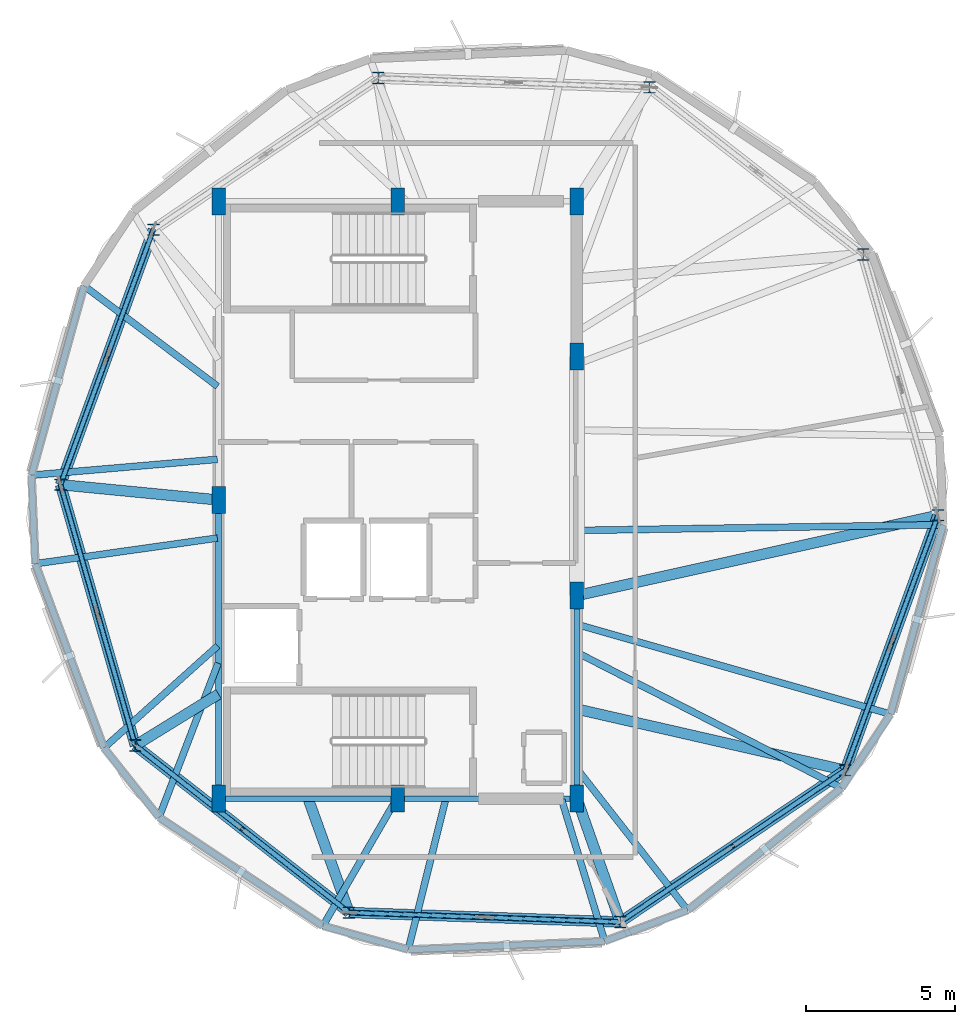
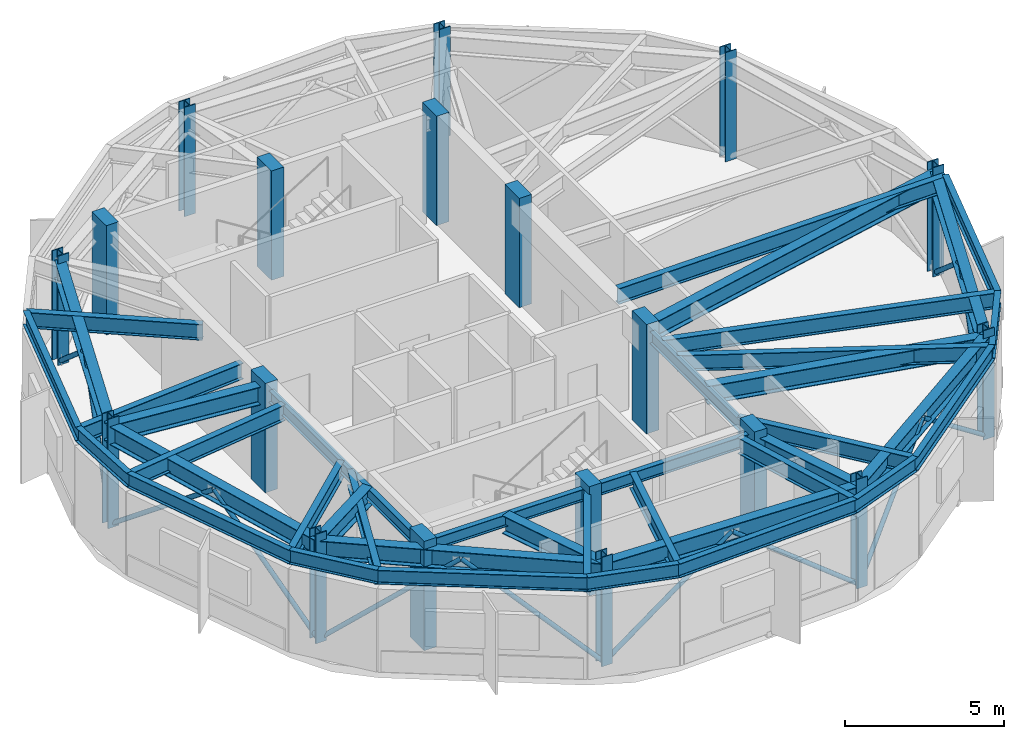
# One storey, part 1 of 6: 39 beams, 19 columns, 12 members.
"""IFC4 building model written with IfcOpenShell, lengths in metres."""

from ifc_helpers import new_model, si_unit, direction, frame, origin, origin_2d, place, context, subcontext, project, spatial, rectangle, hollow_circle, i_section, extrude, material, material_profile, profile_set, type_object, element, save


model = new_model("IFC4")

# Units and contexts
model_context = context("Model", 3, precision=1e-05, world=origin(), true_north=direction((0.0, 1.0)))
body_context = subcontext(model_context, "Body", "Model", "MODEL_VIEW")
ifc_project = project(units=[si_unit("LENGTHUNIT", "METRE"), si_unit("AREAUNIT", "SQUARE_METRE"), si_unit("VOLUMEUNIT", "CUBIC_METRE"), si_unit("PLANEANGLEUNIT", "RADIAN"), si_unit("MASSUNIT", "GRAM", prefix="KILO")], contexts=[model_context])

# Site, building, storey
site_placement = place(None, origin())
site = spatial("IfcSite", under=ifc_project, at=site_placement, CompositionType="ELEMENT")
building_placement = place(site_placement, origin())
building = spatial("IfcBuilding", under=site, at=building_placement, Name="Soratama Intermodal Tower", CompositionType="ELEMENT")
storey_placement = place(building_placement, frame((0.0, 0.0, 309.85009765625)))
storey = spatial("IfcBuildingStorey", under=building, at=storey_placement, Name="L78", CompositionType="ELEMENT", Elevation=309.85009765625)

# Columns
ifc_material_1 = material(Name="Structural steel ASTM A992 Grade 50", Category="steel")
ifc_material_profile_1 = material_profile(ifc_material_1, i_section(OverallWidth=0.39794921875, OverallDepth=0.386962890625, WebThickness=0.02099609375, FlangeThickness=0.033203125, FilletRadius=0.0380859375, at=origin_2d()), Name="W14X176")
ifc_profile_set_1 = profile_set([ifc_material_profile_1], Name="Structural steel ASTM A992 Grade 50")
column_type_1 = type_object("IfcColumnType", Name="COL-ZF-W14X176", PredefinedType="COLUMN", material=ifc_profile_set_1)
for number, where, z_axis, x_axis, name in (
    (1, (54.18701171875, 33.22021484375, 0.0), (0.0, 0.0, 1.0), (1.0, 0.0, 0.0), "L78 Tower Ring Column R01"),
    (2, (47.027587890625, 38.8134765625, 0.0), (0.0, 0.0, 1.0), (1.0, 0.0, 0.0), "L78 Tower Ring Column R02"),
    (3, (37.947998046875, 39.130615234375, 0.0), (0.0, 0.0, 1.0), (1.0, 0.0, 0.0), "L78 Tower Ring Column R03"),
    (4, (30.416259765625, 34.05029296875, 0.0), (0.0, 0.0, 1.0), (1.0, 0.0, 0.0), "L78 Tower Ring Column R04"),
    (5, (27.30908203125, 25.512939453125, 0.0), (0.0, 0.0, 1.0), (1.0, 0.0, 0.0), "L78 Tower Ring Column R05"),
    (6, (29.81298828125, 16.77978515625, 0.0), (0.0, 0.0, 1.0), (1.0, 0.0, 0.0), "L78 Tower Ring Column R06"),
    (7, (36.972412109375, 11.1865234375, 0.0), (0.0, 0.0, 1.0), (1.0, 0.0, 0.0), "L78 Tower Ring Column R07"),
    (8, (46.052001953125, 10.869384765625, 0.0), (0.0, 0.0, 1.0), (1.0, 0.0, 0.0), "L78 Tower Ring Column R08"),
    (9, (53.583740234375, 15.94970703125, 0.0), (0.0, 0.0, 1.0), (1.0, 0.0, 0.0), "L78 Tower Ring Column R09"),
    (10, (56.69091796875, 24.487060546875, 0.0), (0.0, 0.0, 1.0), (1.0, 0.0, 0.0), "L78 Tower Ring Column R10"),
):
    element("IfcColumn", number, at=place(storey_placement, frame(where, z_axis=z_axis, x_axis=x_axis)), inside=storey, type_object=column_type_1, Name=name, PredefinedType="COLUMN", context=body_context, shape_type="SweptSolid", body=[
        extrude(i_section(OverallWidth=0.39794921875, OverallDepth=0.386962890625, WebThickness=0.02099609375, FlangeThickness=0.033203125, FilletRadius=0.0380859375, at=origin_2d()), origin(), (0.0, 0.0, 1.0), 4.199951171875),
    ])
ifc_material_2 = material(Name="Concrete f'c 56 MPa", Category="concrete")
ifc_material_profile_2 = material_profile(ifc_material_2, rectangle(XDim=0.449951171875, YDim=0.89990234375, at=origin_2d()), Name="RC450X900")
ifc_profile_set_2 = profile_set([ifc_material_profile_2], Name="Concrete f'c 56 MPa")
column_type_2 = type_object("IfcColumnType", Name="PIL-CORE-450X900", PredefinedType="PILASTER", material=ifc_profile_set_2)
for number, where, z_axis, x_axis, name in (
    (11, (32.60009765625, 15.0, 0.0), (0.0, 0.0, 1.0), (1.0, 0.0, 0.0), "L78 Core Pilaster 1"),
    (12, (32.60009765625, 25.0, 0.0), (0.0, 0.0, 1.0), (1.0, 0.0, 0.0), "L78 Core Pilaster 2"),
    (13, (32.60009765625, 35.0, 0.0), (0.0, 0.0, 1.0), (1.0, 0.0, 0.0), "L78 Core Pilaster 3"),
    (14, (38.60009765625, 15.0, 0.0), (0.0, 0.0, 1.0), (1.0, 0.0, 0.0), "L78 Core Pilaster 4"),
    (15, (38.60009765625, 35.0, 0.0), (0.0, 0.0, 1.0), (1.0, 0.0, 0.0), "L78 Core Pilaster 5"),
    (16, (44.60009765625, 15.0, 0.0), (0.0, 0.0, 1.0), (1.0, 0.0, 0.0), "L78 Core Pilaster 6"),
    (17, (44.60009765625, 21.800048828125, 0.0), (0.0, 0.0, 1.0), (1.0, 0.0, 0.0), "L78 Core Pilaster 7"),
    (18, (44.60009765625, 29.800048828125, 0.0), (0.0, 0.0, 1.0), (1.0, 0.0, 0.0), "L78 Core Pilaster 8"),
    (19, (44.60009765625, 35.0, 0.0), (0.0, 0.0, 1.0), (1.0, 0.0, 0.0), "L78 Core Pilaster 9"),
):
    element("IfcColumn", number, at=place(storey_placement, frame(where, z_axis=z_axis, x_axis=x_axis)), inside=storey, type_object=column_type_2, Name=name, PredefinedType="PILASTER", context=body_context, shape_type="SweptSolid", body=[
        extrude(rectangle(XDim=0.449951171875, YDim=0.89990234375, at=origin_2d()), origin(), (0.0, 0.0, 1.0), 4.199951171875),
    ])

# Beams
ifc_material_3 = material(Name="Structural steel ASTM A992 Grade 50", Category="steel")
ifc_material_profile_3 = material_profile(ifc_material_3, i_section(OverallWidth=0.19091796875, OverallDepth=0.4599609375, WebThickness=0.010009765625, FlangeThickness=0.01611328125, FilletRadius=0.010986328125, at=origin_2d()), Name="W18X55")
ifc_profile_set_3 = profile_set([ifc_material_profile_3], Name="Structural steel ASTM A992 Grade 50")
beam_type_1 = type_object("IfcBeamType", Name="BM-FLR-W18X55", PredefinedType="BEAM", material=ifc_profile_set_3)
for number, where, z_axis, x_axis, name in (
    (20, (32.60009765625, 15.0, 3.664794921875), (1.0, 0.0, 0.0), (0.0, 1.0, 0.0), "BM-L78-CRING-01"),
    (21, (38.60009765625, 15.0, 3.664794921875), (1.0, 0.0, 0.0), (0.0, 1.0, 0.0), "BM-L78-CRING-02"),
):
    element("IfcBeam", number, at=place(storey_placement, frame(where, z_axis=z_axis, x_axis=x_axis)), inside=storey, type_object=beam_type_1, Name=name, PredefinedType="BEAM", context=body_context, shape_type="SweptSolid", body=[
        extrude(i_section(OverallWidth=0.19091796875, OverallDepth=0.4599609375, WebThickness=0.010009765625, FlangeThickness=0.01611328125, FilletRadius=0.010986328125, at=origin_2d()), origin(), (0.0, 0.0, 1.0), 6.0),
    ])
beam_1_placement = place(storey_placement, frame((44.60009765625, 15.0, 3.664794921875), z_axis=(0.0, 1.0, 0.0), x_axis=(-1.0, 0.0, 0.0)))
element("IfcBeam", 22, at=beam_1_placement, inside=storey, type_object=beam_type_1, Name="BM-L78-CRING-03", PredefinedType="BEAM", context=body_context, shape_type="SweptSolid", body=[
    extrude(i_section(OverallWidth=0.19091796875, OverallDepth=0.4599609375, WebThickness=0.010009765625, FlangeThickness=0.01611328125, FilletRadius=0.010986328125, at=origin_2d()), origin(), (0.0, 0.0, 1.0), 6.800048828125),
])
beam_2_placement = place(storey_placement, frame((32.60009765625, 25.0, 3.664794921875), z_axis=(0.0, -1.0, 0.0), x_axis=(1.0, 0.0, 0.0)))
element("IfcBeam", 23, at=beam_2_placement, inside=storey, type_object=beam_type_1, Name="BM-L78-CRING-09", PredefinedType="BEAM", context=body_context, shape_type="SweptSolid", body=[
    extrude(i_section(OverallWidth=0.19091796875, OverallDepth=0.4599609375, WebThickness=0.010009765625, FlangeThickness=0.01611328125, FilletRadius=0.010986328125, at=origin_2d()), origin(), (0.0, 0.0, 1.0), 10.0),
])
ifc_material_4 = material(Name="Structural steel ASTM A992 Grade 50", Category="steel")
ifc_material_profile_4 = material_profile(ifc_material_4, i_section(OverallWidth=0.35498046875, OverallDepth=0.695068359375, WebThickness=0.015380859375, FlangeThickness=0.02490234375, FilletRadius=0.01611328125, at=origin_2d()), Name="W27X146")
ifc_profile_set_4 = profile_set([ifc_material_profile_4], Name="Structural steel ASTM A992 Grade 50")
beam_type_2 = type_object("IfcBeamType", Name="BM-RING-W27X146", PredefinedType="BEAM", material=ifc_profile_set_4)
beam_3_placement = place(storey_placement, frame((30.416015625, 34.050048828125, 3.54736328125), z_axis=(-0.341989029925, -0.939703944555, 0.0), x_axis=(0.939703944555, -0.341989029925, 0.0)))
element("IfcBeam", 24, at=beam_3_placement, inside=storey, type_object=beam_type_2, Name="BM-L78-RING-04", PredefinedType="BEAM", context=body_context, shape_type="SweptSolid", body=[
    extrude(i_section(OverallWidth=0.35498046875, OverallDepth=0.695068359375, WebThickness=0.015380859375, FlangeThickness=0.02490234375, FilletRadius=0.01611328125, at=origin_2d()), origin(), (0.0, 0.0, 1.0), 9.0849609375),
])
for number, where, z_axis, x_axis, name in (
    (25, (27.30908203125, 25.512939453125, 3.54736328125), (0.275615442928, -0.961267979088, 0.0), (0.961267979088, 0.275615442928, 0.0), "BM-L78-RING-05"),
    (26, (29.81298828125, 16.780029296875, 3.54736328125), (0.78801907717, -0.615650821502, 0.0), (0.615650821502, 0.78801907717, 0.0), "BM-L78-RING-06"),
):
    element("IfcBeam", number, at=place(storey_placement, frame(where, z_axis=z_axis, x_axis=x_axis)), inside=storey, type_object=beam_type_2, Name=name, PredefinedType="BEAM", context=body_context, shape_type="SweptSolid", body=[
        extrude(i_section(OverallWidth=0.35498046875, OverallDepth=0.695068359375, WebThickness=0.015380859375, FlangeThickness=0.02490234375, FilletRadius=0.01611328125, at=origin_2d()), origin(), (0.0, 0.0, 1.0), 9.084716796875),
    ])
beam_4_placement = place(storey_placement, frame((36.971923828125, 11.18701171875, 3.54736328125), z_axis=(0.999391551516, -0.034878743651, 0.0), x_axis=(0.034878743651, 0.999391551516, 0.0)))
element("IfcBeam", 27, at=beam_4_placement, inside=storey, type_object=beam_type_2, Name="BM-L78-RING-07", PredefinedType="BEAM", context=body_context, shape_type="SweptSolid", body=[
    extrude(i_section(OverallWidth=0.35498046875, OverallDepth=0.695068359375, WebThickness=0.015380859375, FlangeThickness=0.02490234375, FilletRadius=0.01611328125, at=origin_2d()), origin(), (0.0, 0.0, 1.0), 9.085693359375),
])
for number, where, z_axis, x_axis, name in (
    (28, (46.052001953125, 10.8701171875, 3.54736328125), (0.829065755123, 0.559151118824, 0.0), (-0.559151118824, 0.829065755123, 0.0), "BM-L78-RING-08"),
    (29, (53.583984375, 15.949951171875, 3.54736328125), (0.341989029925, 0.939703944555, 0.0), (-0.939703944555, 0.341989029925, 0.0), "BM-L78-RING-09"),
):
    element("IfcBeam", number, at=place(storey_placement, frame(where, z_axis=z_axis, x_axis=x_axis)), inside=storey, type_object=beam_type_2, Name=name, PredefinedType="BEAM", context=body_context, shape_type="SweptSolid", body=[
        extrude(i_section(OverallWidth=0.35498046875, OverallDepth=0.695068359375, WebThickness=0.015380859375, FlangeThickness=0.02490234375, FilletRadius=0.01611328125, at=origin_2d()), origin(), (0.0, 0.0, 1.0), 9.0849609375),
    ])
beam_5_placement = place(storey_placement, frame((32.60009765625, 25.0, 3.54736328125), z_axis=(-0.995333664321, 0.096492987668, 0.0), x_axis=(-0.096492987668, -0.995333664321, 0.0)))
element("IfcBeam", 30, at=beam_5_placement, inside=storey, type_object=beam_type_2, Name="BM-L78-RAD-05", PredefinedType="BEAM", context=body_context, shape_type="SweptSolid", body=[
    extrude(i_section(OverallWidth=0.35498046875, OverallDepth=0.695068359375, WebThickness=0.015380859375, FlangeThickness=0.02490234375, FilletRadius=0.01611328125, at=origin_2d()), origin(), (0.0, 0.0, 1.0), 5.31591796875),
])
beam_6_placement = place(storey_placement, frame((32.60009765625, 18.5, 3.54736328125), z_axis=(-0.850999862817, -0.525165910437, 0.0), x_axis=(0.525165910437, -0.850999862817, 0.0)))
element("IfcBeam", 31, at=beam_6_placement, inside=storey, type_object=beam_type_2, Name="BM-L78-RAD-06", PredefinedType="BEAM", context=body_context, shape_type="SweptSolid", body=[
    extrude(i_section(OverallWidth=0.35498046875, OverallDepth=0.695068359375, WebThickness=0.015380859375, FlangeThickness=0.02490234375, FilletRadius=0.01611328125, at=origin_2d()), origin(), (0.0, 0.0, 1.0), 3.275146484375),
])
beam_7_placement = place(storey_placement, frame((35.60009765625, 15.0, 3.54736328125), z_axis=(0.33853385328, -0.940954212586, 0.0), x_axis=(0.940954212586, 0.33853385328, 0.0)))
element("IfcBeam", 32, at=beam_7_placement, inside=storey, type_object=beam_type_2, Name="BM-L78-RAD-07", PredefinedType="BEAM", context=body_context, shape_type="SweptSolid", body=[
    extrude(i_section(OverallWidth=0.35498046875, OverallDepth=0.695068359375, WebThickness=0.015380859375, FlangeThickness=0.02490234375, FilletRadius=0.01611328125, at=origin_2d()), origin(), (0.0, 0.0, 1.0), 4.05224609375),
])
beam_8_placement = place(storey_placement, frame((44.60009765625, 15.0, 3.54736328125), z_axis=(0.331661746867, -0.943398370608, 0.0), x_axis=(0.943398370608, 0.331661746867, 0.0)))
element("IfcBeam", 33, at=beam_8_placement, inside=storey, type_object=beam_type_2, Name="BM-L78-RAD-08", PredefinedType="BEAM", context=body_context, shape_type="SweptSolid", body=[
    extrude(i_section(OverallWidth=0.35498046875, OverallDepth=0.695068359375, WebThickness=0.015380859375, FlangeThickness=0.02490234375, FilletRadius=0.01611328125, at=origin_2d()), origin(), (0.0, 0.0, 1.0), 4.377685546875),
])
beam_9_placement = place(storey_placement, frame((44.60009765625, 18.0, 3.54736328125), z_axis=(0.974938851068, -0.222473002131, 0.0), x_axis=(0.222473002131, 0.974938851068, 0.0)))
element("IfcBeam", 34, at=beam_9_placement, inside=storey, type_object=beam_type_2, Name="BM-L78-RAD-09", PredefinedType="BEAM", context=body_context, shape_type="SweptSolid", body=[
    extrude(i_section(OverallWidth=0.35498046875, OverallDepth=0.695068359375, WebThickness=0.015380859375, FlangeThickness=0.02490234375, FilletRadius=0.01611328125, at=origin_2d()), origin(), (0.0, 0.0, 1.0), 9.21484375),
])
beam_10_placement = place(storey_placement, frame((44.60009765625, 21.800048828125, 3.54736328125), z_axis=(0.976184277327, 0.216942980298, 0.0), x_axis=(-0.216942980298, 0.976184277327, 0.0)))
element("IfcBeam", 35, at=beam_10_placement, inside=storey, type_object=beam_type_2, Name="BM-L78-RAD-10", PredefinedType="BEAM", context=body_context, shape_type="SweptSolid", body=[
    extrude(i_section(OverallWidth=0.35498046875, OverallDepth=0.695068359375, WebThickness=0.015380859375, FlangeThickness=0.02490234375, FilletRadius=0.01611328125, at=origin_2d()), origin(), (0.0, 0.0, 1.0), 12.3857421875),
])
ifc_material_5 = material(Name="Structural steel ASTM A992 Grade 50", Category="steel")
ifc_material_profile_5 = material_profile(ifc_material_5, i_section(OverallWidth=0.2099609375, OverallDepth=0.537109375, WebThickness=0.010986328125, FlangeThickness=0.017333984375, FilletRadius=0.012939453125, at=origin_2d()), Name="W21X68")
ifc_profile_set_5 = profile_set([ifc_material_profile_5], Name="Structural steel ASTM A992 Grade 50")
beam_type_3 = type_object("IfcBeamType", Name="BM-SPN-W21X68", PredefinedType="SPANDREL", material=ifc_profile_set_5)
beam_11_placement = place(storey_placement, frame((28.095947265625, 32.172119140625, 3.62646484375), z_axis=(-0.267921174664, -0.963440835841, 0.0), x_axis=(0.963440835841, -0.267921174664, 0.0)))
element("IfcBeam", 36, at=beam_11_placement, inside=storey, type_object=beam_type_3, Name="BS-L78-F03", PredefinedType="SPANDREL", context=body_context, shape_type="SweptSolid", body=[
    extrude(i_section(OverallWidth=0.2099609375, OverallDepth=0.537109375, WebThickness=0.010986328125, FlangeThickness=0.017333984375, FilletRadius=0.012939453125, at=origin_2d()), origin(), (0.0, 0.0, 1.0), 6.583740234375),
])
beam_12_placement = place(storey_placement, frame((26.33203125, 25.8291015625, 3.62646484375), z_axis=(0.043119400485, -0.999069926132, 0.0), x_axis=(0.999069926132, 0.043119400485, 0.0)))
element("IfcBeam", 37, at=beam_12_placement, inside=storey, type_object=beam_type_3, Name="BS-L78-CRN03", PredefinedType="SPANDREL", context=body_context, shape_type="SweptSolid", body=[
    extrude(i_section(OverallWidth=0.2099609375, OverallDepth=0.537109375, WebThickness=0.010986328125, FlangeThickness=0.017333984375, FilletRadius=0.012939453125, at=origin_2d()), origin(), (0.0, 0.0, 1.0), 2.966796875),
])
beam_13_placement = place(storey_placement, frame((26.4599609375, 22.864990234375, 3.62646484375), z_axis=(0.349481212587, -0.936943371847, 0.0), x_axis=(0.936943371847, 0.349481212587, 0.0)))
element("IfcBeam", 38, at=beam_13_placement, inside=storey, type_object=beam_type_3, Name="BS-L78-F04", PredefinedType="SPANDREL", context=body_context, shape_type="SweptSolid", body=[
    extrude(i_section(OverallWidth=0.2099609375, OverallDepth=0.537109375, WebThickness=0.010986328125, FlangeThickness=0.017333984375, FilletRadius=0.012939453125, at=origin_2d()), origin(), (0.0, 0.0, 1.0), 6.584228515625),
])
beam_14_placement = place(storey_placement, frame((28.760986328125, 16.696044921875, 3.62646484375), z_axis=(0.621931128655, -0.783071945104, 0.0), x_axis=(0.783071945104, 0.621931128655, 0.0)))
element("IfcBeam", 39, at=beam_14_placement, inside=storey, type_object=beam_type_3, Name="BS-L78-CRN04", PredefinedType="SPANDREL", context=body_context, shape_type="SweptSolid", body=[
    extrude(i_section(OverallWidth=0.2099609375, OverallDepth=0.537109375, WebThickness=0.010986328125, FlangeThickness=0.017333984375, FilletRadius=0.012939453125, at=origin_2d()), origin(), (0.0, 0.0, 1.0), 2.966552734375),
])
beam_15_placement = place(storey_placement, frame((30.60595703125, 14.373046875, 3.62646484375), z_axis=(0.833570379181, -0.552413271883, 0.0), x_axis=(0.552413271883, 0.833570379181, 0.0)))
element("IfcBeam", 40, at=beam_15_placement, inside=storey, type_object=beam_type_3, Name="BS-L78-F05", PredefinedType="SPANDREL", context=body_context, shape_type="SweptSolid", body=[
    extrude(i_section(OverallWidth=0.2099609375, OverallDepth=0.537109375, WebThickness=0.010986328125, FlangeThickness=0.017333984375, FilletRadius=0.012939453125, at=origin_2d()), origin(), (0.0, 0.0, 1.0), 6.583740234375),
])
beam_16_placement = place(storey_placement, frame((36.093994140625, 10.736083984375, 3.62646484375), z_axis=(0.963404631387, -0.26805133132, 0.0), x_axis=(0.26805133132, 0.963404631387, 0.0)))
element("IfcBeam", 41, at=beam_16_placement, inside=storey, type_object=beam_type_3, Name="BS-L78-CRN05", PredefinedType="SPANDREL", context=body_context, shape_type="SweptSolid", body=[
    extrude(i_section(OverallWidth=0.2099609375, OverallDepth=0.537109375, WebThickness=0.010986328125, FlangeThickness=0.017333984375, FilletRadius=0.012939453125, at=origin_2d()), origin(), (0.0, 0.0, 1.0), 2.966552734375),
])
beam_17_placement = place(storey_placement, frame((38.951904296875, 9.94091796875, 3.62646484375), z_axis=(0.999082487885, 0.042827355757, 0.0), x_axis=(-0.042827355757, 0.999082487885, 0.0)))
element("IfcBeam", 42, at=beam_17_placement, inside=storey, type_object=beam_type_3, Name="BS-L78-F06", PredefinedType="SPANDREL", context=body_context, shape_type="SweptSolid", body=[
    extrude(i_section(OverallWidth=0.2099609375, OverallDepth=0.537109375, WebThickness=0.010986328125, FlangeThickness=0.017333984375, FilletRadius=0.012939453125, at=origin_2d()), origin(), (0.0, 0.0, 1.0), 6.584228515625),
])
beam_18_placement = place(storey_placement, frame((45.530029296875, 10.222900390625, 3.62646484375), z_axis=(0.93688609527, 0.349634730098, 0.0), x_axis=(-0.349634730098, 0.93688609527, 0.0)))
element("IfcBeam", 43, at=beam_18_placement, inside=storey, type_object=beam_type_3, Name="BS-L78-CRN06", PredefinedType="SPANDREL", context=body_context, shape_type="SweptSolid", body=[
    extrude(i_section(OverallWidth=0.2099609375, OverallDepth=0.537109375, WebThickness=0.010986328125, FlangeThickness=0.017333984375, FilletRadius=0.012939453125, at=origin_2d()), origin(), (0.0, 0.0, 1.0), 2.96630859375),
])
beam_19_placement = place(storey_placement, frame((48.30908203125, 11.260009765625, 3.62646484375), z_axis=(0.78307419976, 0.621928289814, 0.0), x_axis=(-0.621928289814, 0.78307419976, 0.0)))
element("IfcBeam", 44, at=beam_19_placement, inside=storey, type_object=beam_type_3, Name="BS-L78-F07", PredefinedType="SPANDREL", context=body_context, shape_type="SweptSolid", body=[
    extrude(i_section(OverallWidth=0.2099609375, OverallDepth=0.537109375, WebThickness=0.010986328125, FlangeThickness=0.017333984375, FilletRadius=0.012939453125, at=origin_2d()), origin(), (0.0, 0.0, 1.0), 6.584228515625),
])
beam_20_placement = place(storey_placement, frame((53.465087890625, 15.35498046875, 3.62646484375), z_axis=(0.55243823601, 0.833553834731, 0.0), x_axis=(-0.833553834731, 0.55243823601, 0.0)))
element("IfcBeam", 45, at=beam_20_placement, inside=storey, type_object=beam_type_3, Name="BS-L78-CRN07", PredefinedType="SPANDREL", context=body_context, shape_type="SweptSolid", body=[
    extrude(i_section(OverallWidth=0.2099609375, OverallDepth=0.537109375, WebThickness=0.010986328125, FlangeThickness=0.017333984375, FilletRadius=0.012939453125, at=origin_2d()), origin(), (0.0, 0.0, 1.0), 2.966796875),
])
beam_21_placement = place(storey_placement, frame((55.10400390625, 17.827880859375, 3.62646484375), z_axis=(0.267921174664, 0.963440835841, 0.0), x_axis=(-0.963440835841, 0.267921174664, 0.0)))
element("IfcBeam", 46, at=beam_21_placement, inside=storey, type_object=beam_type_3, Name="BS-L78-F08", PredefinedType="SPANDREL", context=body_context, shape_type="SweptSolid", body=[
    extrude(i_section(OverallWidth=0.2099609375, OverallDepth=0.537109375, WebThickness=0.010986328125, FlangeThickness=0.017333984375, FilletRadius=0.012939453125, at=origin_2d()), origin(), (0.0, 0.0, 1.0), 6.583740234375),
])
ifc_material_6 = material(Name="Structural steel ASTM A992 Grade 50", Category="steel")
ifc_material_profile_6 = material_profile(ifc_material_6, i_section(OverallWidth=0.22900390625, OverallDepth=0.612060546875, WebThickness=0.011962890625, FlangeThickness=0.01953125, FilletRadius=0.012939453125, at=origin_2d()), Name="W24X84")
ifc_profile_set_6 = profile_set([ifc_material_profile_6], Name="Structural steel ASTM A992 Grade 50")
beam_type_4 = type_object("IfcBeamType", Name="BM-TIE-W24X84", PredefinedType="BEAM", material=ifc_profile_set_6)
beam_22_placement = place(storey_placement, frame((32.568115234375, 28.804931640625, 3.5888671875), z_axis=(-0.798878658543, 0.601492218508, 0.0), x_axis=(-0.601492218508, -0.798878658543, 0.0)))
element("IfcBeam", 47, at=beam_22_placement, inside=storey, type_object=beam_type_4, Name="BM-L78-TIE0-03", PredefinedType="BEAM", context=body_context, shape_type="SweptSolid", body=[
    extrude(i_section(OverallWidth=0.22900390625, OverallDepth=0.612060546875, WebThickness=0.011962890625, FlangeThickness=0.01953125, FilletRadius=0.012939453125, at=origin_2d()), origin(), (0.0, 0.0, 1.0), 5.59814453125),
])
beam_23_placement = place(storey_placement, frame((32.56005859375, 26.362060546875, 3.5888671875), z_axis=(-0.996358508615, -0.085262666574, 0.0), x_axis=(0.085262666574, -0.996358508615, 0.0)))
element("IfcBeam", 48, at=beam_23_placement, inside=storey, type_object=beam_type_4, Name="BM-L78-TIE1-03", PredefinedType="BEAM", context=body_context, shape_type="SweptSolid", body=[
    extrude(i_section(OverallWidth=0.22900390625, OverallDepth=0.612060546875, WebThickness=0.011962890625, FlangeThickness=0.01953125, FilletRadius=0.012939453125, at=origin_2d()), origin(), (0.0, 0.0, 1.0), 6.250732421875),
])
beam_24_placement = place(storey_placement, frame((32.56005859375, 23.72509765625, 3.5888671875), z_axis=(-0.99020544909, -0.139617937931, 0.0), x_axis=(0.139617937931, -0.99020544909, 0.0)))
element("IfcBeam", 49, at=beam_24_placement, inside=storey, type_object=beam_type_4, Name="BM-L78-TIE0-04", PredefinedType="BEAM", context=body_context, shape_type="SweptSolid", body=[
    extrude(i_section(OverallWidth=0.22900390625, OverallDepth=0.612060546875, WebThickness=0.011962890625, FlangeThickness=0.01953125, FilletRadius=0.012939453125, at=origin_2d()), origin(), (0.0, 0.0, 1.0), 6.160400390625),
])
beam_25_placement = place(storey_placement, frame((32.570068359375, 20.113037109375, 3.5888671875), z_axis=(-0.744379700677, -0.667756588301, 0.0), x_axis=(0.667756588301, -0.744379700677, 0.0)))
element("IfcBeam", 50, at=beam_25_placement, inside=storey, type_object=beam_type_4, Name="BM-L78-TIE1-04", PredefinedType="BEAM", context=body_context, shape_type="SweptSolid", body=[
    extrude(i_section(OverallWidth=0.22900390625, OverallDepth=0.612060546875, WebThickness=0.011962890625, FlangeThickness=0.01953125, FilletRadius=0.012939453125, at=origin_2d()), origin(), (0.0, 0.0, 1.0), 5.1171875),
])
beam_26_placement = place(storey_placement, frame((32.5859375, 19.537109375, 3.5888671875), z_axis=(-0.358002722907, -0.933720541914, 0.0), x_axis=(0.933720541914, -0.358002722907, 0.0)))
element("IfcBeam", 51, at=beam_26_placement, inside=storey, type_object=beam_type_4, Name="BM-L78-TIE0-05", PredefinedType="BEAM", context=body_context, shape_type="SweptSolid", body=[
    extrude(i_section(OverallWidth=0.22900390625, OverallDepth=0.612060546875, WebThickness=0.011962890625, FlangeThickness=0.01953125, FilletRadius=0.012939453125, at=origin_2d()), origin(), (0.0, 0.0, 1.0), 5.530517578125),
])
beam_27_placement = place(storey_placement, frame((38.5458984375, 14.965087890625, 3.5888671875), z_axis=(-0.501577567074, -0.865112677174, 0.0), x_axis=(0.865112677174, -0.501577567074, 0.0)))
element("IfcBeam", 52, at=beam_27_placement, inside=storey, type_object=beam_type_4, Name="BM-L78-TIE1-05", PredefinedType="BEAM", context=body_context, shape_type="SweptSolid", body=[
    extrude(i_section(OverallWidth=0.22900390625, OverallDepth=0.612060546875, WebThickness=0.011962890625, FlangeThickness=0.01953125, FilletRadius=0.012939453125, at=origin_2d()), origin(), (0.0, 0.0, 1.0), 4.888427734375),
])
beam_28_placement = place(storey_placement, frame((40.200927734375, 14.9609375, 3.5888671875), z_axis=(-0.241447222076, -0.970413952369, 0.0), x_axis=(0.970413952369, -0.241447222076, 0.0)))
element("IfcBeam", 53, at=beam_28_placement, inside=storey, type_object=beam_type_4, Name="BM-L78-TIE0-06", PredefinedType="BEAM", context=body_context, shape_type="SweptSolid", body=[
    extrude(i_section(OverallWidth=0.22900390625, OverallDepth=0.612060546875, WebThickness=0.011962890625, FlangeThickness=0.01953125, FilletRadius=0.012939453125, at=origin_2d()), origin(), (0.0, 0.0, 1.0), 5.173095703125),
])
beam_29_placement = place(storey_placement, frame((44.091064453125, 14.9619140625, 3.5888671875), z_axis=(0.290543664111, -0.956861734654, 0.0), x_axis=(0.956861734654, 0.290543664111, 0.0)))
element("IfcBeam", 54, at=beam_29_placement, inside=storey, type_object=beam_type_4, Name="BM-L78-TIE1-06", PredefinedType="BEAM", context=body_context, shape_type="SweptSolid", body=[
    extrude(i_section(OverallWidth=0.22900390625, OverallDepth=0.612060546875, WebThickness=0.011962890625, FlangeThickness=0.01953125, FilletRadius=0.012939453125, at=origin_2d()), origin(), (0.0, 0.0, 1.0), 4.95263671875),
])
beam_30_placement = place(storey_placement, frame((44.625, 15.971923828125, 3.5888671875), z_axis=(0.615944996448, -0.787789160468, 0.0), x_axis=(0.787789160468, 0.615944996448, 0.0)))
element("IfcBeam", 55, at=beam_30_placement, inside=storey, type_object=beam_type_4, Name="BM-L78-TIE0-07", PredefinedType="BEAM", context=body_context, shape_type="SweptSolid", body=[
    extrude(i_section(OverallWidth=0.22900390625, OverallDepth=0.612060546875, WebThickness=0.011962890625, FlangeThickness=0.01953125, FilletRadius=0.012939453125, at=origin_2d()), origin(), (0.0, 0.0, 1.0), 5.981201171875),
])
beam_31_placement = place(storey_placement, frame((44.635986328125, 19.875, 3.5888671875), z_axis=(0.89013347434, -0.455699898903, 0.0), x_axis=(0.455699898903, 0.89013347434, 0.0)))
element("IfcBeam", 56, at=beam_31_placement, inside=storey, type_object=beam_type_4, Name="BM-L78-TIE1-07", PredefinedType="BEAM", context=body_context, shape_type="SweptSolid", body=[
    extrude(i_section(OverallWidth=0.22900390625, OverallDepth=0.612060546875, WebThickness=0.011962890625, FlangeThickness=0.01953125, FilletRadius=0.012939453125, at=origin_2d()), origin(), (0.0, 0.0, 1.0), 9.9189453125),
])
beam_32_placement = place(storey_placement, frame((44.637939453125, 20.823974609375, 3.5888671875), z_axis=(0.96138334162, -0.275212773061, 0.0), x_axis=(0.275212773061, 0.96138334162, 0.0)))
element("IfcBeam", 57, at=beam_32_placement, inside=storey, type_object=beam_type_4, Name="BM-L78-TIE0-08", PredefinedType="BEAM", context=body_context, shape_type="SweptSolid", body=[
    extrude(i_section(OverallWidth=0.22900390625, OverallDepth=0.612060546875, WebThickness=0.011962890625, FlangeThickness=0.01953125, FilletRadius=0.012939453125, at=origin_2d()), origin(), (0.0, 0.0, 1.0), 10.886474609375),
])
beam_33_placement = place(storey_placement, frame((44.8349609375, 23.98388671875, 3.5888671875), z_axis=(0.999879250843, 0.015539746914, 0.0), x_axis=(-0.015539746914, 0.999879250843, 0.0)))
element("IfcBeam", 58, at=beam_33_placement, inside=storey, type_object=beam_type_4, Name="BM-L78-TIE1-08", PredefinedType="BEAM", context=body_context, shape_type="SweptSolid", body=[
    extrude(i_section(OverallWidth=0.22900390625, OverallDepth=0.612060546875, WebThickness=0.011962890625, FlangeThickness=0.01953125, FilletRadius=0.012939453125, at=origin_2d()), origin(), (0.0, 0.0, 1.0), 12.034423828125),
])

# Members
ifc_material_7 = material(Name="Structural steel ASTM A500 Grade C", Category="steel")
ifc_material_profile_7 = material_profile(ifc_material_7, hollow_circle(Radius=0.084228515625, WallThickness=0.008056640625, at=origin_2d()), Name="CHS168X8")
ifc_profile_set_7 = profile_set([ifc_material_profile_7], Name="Structural steel ASTM A500 Grade C")
member_type = type_object("IfcMemberType", Name="MB-STRUT-CHS168", PredefinedType="BRACE", material=ifc_profile_set_7)
member_1_placement = place(storey_placement, frame((30.416259765625, 34.05029296875, 0.010009765625), z_axis=(-0.269855658326, -0.74142460494, 0.614383820473), x_axis=(0.939692958398, -0.342019215742, 0.0)))
element("IfcMember", 59, at=member_1_placement, inside=storey, type_object=member_type, Name="L78 Belt Truss Brace A 04", PredefinedType="BRACE", context=body_context, shape_type="SweptSolid", body=[
    extrude(hollow_circle(Radius=0.084228515625, WallThickness=0.008056640625, at=origin_2d()), origin(), (0.0, 0.0, 1.0), 5.757568359375),
])
for number, where, z_axis, x_axis, name in (
    (60, (27.30908203125, 25.512939453125, 0.010009765625), (0.269824825194, 0.74141399398, 0.61441016694), (-0.939703944554, 0.341989029925, 0.0), "L78 Belt Truss Brace B 04"),
    (61, (27.30908203125, 25.512939453125, 0.010009765625), (0.217455944317, -0.758424251971, 0.614414816148), (0.961267979088, 0.275615442928, 0.0), "L78 Belt Truss Brace A 05"),
):
    element("IfcMember", number, at=place(storey_placement, frame(where, z_axis=z_axis, x_axis=x_axis)), inside=storey, type_object=member_type, Name=name, PredefinedType="BRACE", context=body_context, shape_type="SweptSolid", body=[
        extrude(hollow_circle(Radius=0.084228515625, WallThickness=0.008056640625, at=origin_2d()), origin(), (0.0, 0.0, 1.0), 5.75732421875),
    ])
member_2_placement = place(storey_placement, frame((29.81298828125, 16.77978515625, 0.010009765625), z_axis=(-0.217448950763, 0.758442264692, 0.614395056084), x_axis=(-0.961272061614, -0.275601203844, 0.0)))
element("IfcMember", 62, at=member_2_placement, inside=storey, type_object=member_type, Name="L78 Belt Truss Brace B 05", PredefinedType="BRACE", context=body_context, shape_type="SweptSolid", body=[
    extrude(hollow_circle(Radius=0.084228515625, WallThickness=0.008056640625, at=origin_2d()), origin(), (0.0, 0.0, 1.0), 5.757568359375),
])
member_3_placement = place(storey_placement, frame((29.81298828125, 16.77978515625, 0.010009765625), z_axis=(0.621738877699, -0.485746749696, 0.614402850838), x_axis=(0.615654471605, 0.788016225463, 0.0)))
element("IfcMember", 63, at=member_3_placement, inside=storey, type_object=member_type, Name="L78 Belt Truss Brace A 06", PredefinedType="BRACE", context=body_context, shape_type="SweptSolid", body=[
    extrude(hollow_circle(Radius=0.084228515625, WallThickness=0.008056640625, at=origin_2d()), origin(), (0.0, 0.0, 1.0), 5.75732421875),
])
member_4_placement = place(storey_placement, frame((36.972412109375, 11.1865234375, 0.010009765625), z_axis=(-0.621764889491, 0.485733943198, 0.614386652379), x_axis=(-0.615628397983, -0.788036595341, 0.0)))
element("IfcMember", 64, at=member_4_placement, inside=storey, type_object=member_type, Name="L78 Belt Truss Brace B 06", PredefinedType="BRACE", context=body_context, shape_type="SweptSolid", body=[
    extrude(hollow_circle(Radius=0.084228515625, WallThickness=0.008056640625, at=origin_2d()), origin(), (0.0, 0.0, 1.0), 5.757568359375),
])
for number, where, z_axis, x_axis, name in (
    (65, (36.972412109375, 11.1865234375, 0.010009765625), (0.788514070384, -0.027520604016, 0.614400665007), (0.034880617074, 0.999391486132, 0.0), "L78 Belt Truss Brace A 07"),
    (66, (46.052001953125, 10.869384765625, 0.010009765625), (-0.78851314948, 0.027562976454, 0.614399947449), (-0.034934296707, -0.99938961117, 0.0), "L78 Belt Truss Brace B 07"),
    (67, (46.052001953125, 10.869384765625, 0.010009765625), (0.654091736188, 0.441220389954, 0.614400983185), (-0.559218987032, 0.829019978373, 0.0), "L78 Belt Truss Brace A 08"),
    (68, (53.583740234375, 15.94970703125, 0.010009765625), (-0.654103973867, -0.441186239489, 0.614412478273), (0.55918204767, -0.829044894782, 0.0), "L78 Belt Truss Brace B 08"),
):
    element("IfcMember", number, at=place(storey_placement, frame(where, z_axis=z_axis, x_axis=x_axis)), inside=storey, type_object=member_type, Name=name, PredefinedType="BRACE", context=body_context, shape_type="SweptSolid", body=[
        extrude(hollow_circle(Radius=0.084228515625, WallThickness=0.008056640625, at=origin_2d()), origin(), (0.0, 0.0, 1.0), 5.75732421875),
    ])
member_5_placement = place(storey_placement, frame((53.583740234375, 15.94970703125, 0.010009765625), z_axis=(0.269855658326, 0.74142460494, 0.614383820473), x_axis=(-0.939692958398, 0.342019215742, 0.0)))
element("IfcMember", 69, at=member_5_placement, inside=storey, type_object=member_type, Name="L78 Belt Truss Brace A 09", PredefinedType="BRACE", context=body_context, shape_type="SweptSolid", body=[
    extrude(hollow_circle(Radius=0.084228515625, WallThickness=0.008056640625, at=origin_2d()), origin(), (0.0, 0.0, 1.0), 5.757568359375),
])
member_6_placement = place(storey_placement, frame((56.69091796875, 24.487060546875, 0.010009765625), z_axis=(-0.269824825194, -0.74141399398, 0.61441016694), x_axis=(0.939703944554, -0.341989029925, 0.0)))
element("IfcMember", 70, at=member_6_placement, inside=storey, type_object=member_type, Name="L78 Belt Truss Brace B 09", PredefinedType="BRACE", context=body_context, shape_type="SweptSolid", body=[
    extrude(hollow_circle(Radius=0.084228515625, WallThickness=0.008056640625, at=origin_2d()), origin(), (0.0, 0.0, 1.0), 5.75732421875),
])

save(model, "model.ifc")
